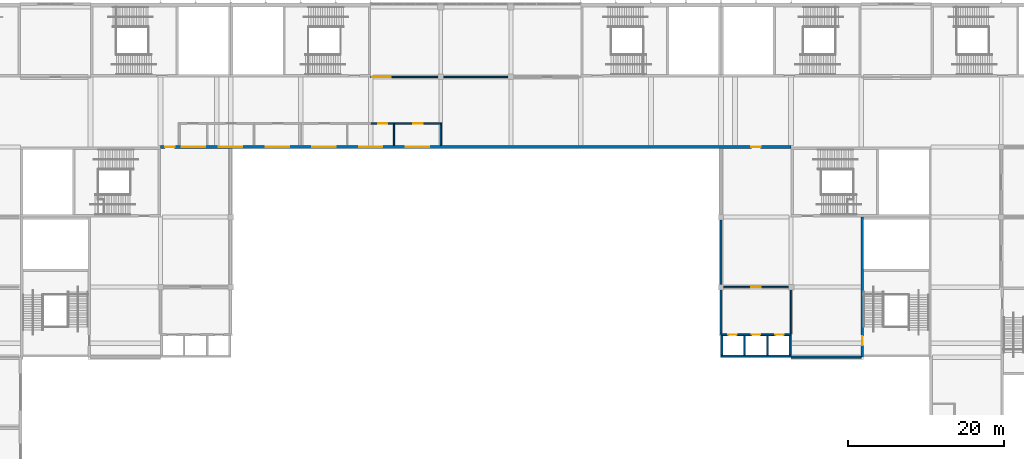
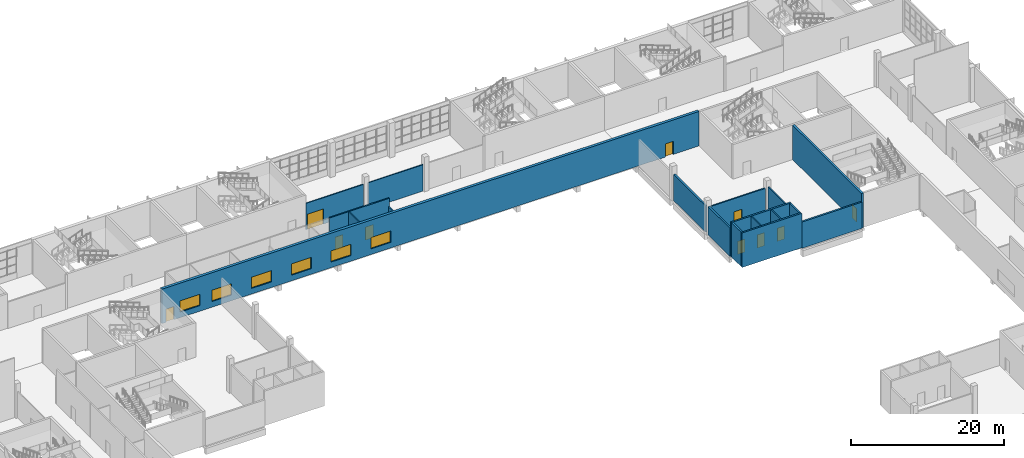
# One storey, part 39 of 84: 19 walls, 10 doors, 6 windows, 16 openings.
"""IFC4 building model written with IfcOpenShell, lengths in metres."""

from ifc_helpers import new_model, si_unit, direction, frame, frame_2d, origin, place, context, subcontext, project, spatial, rectangle, extrude, material, layer, layer_set, type_object, element, fill, save


model = new_model("IFC4")

# Units and contexts
model_context = context("Model", 3, precision=1e-05, world=origin(), true_north=direction((0.0, 1.0)))
body_context = subcontext(model_context, "Body", "Model", "MODEL_VIEW")
ifc_project = project(units=[si_unit("LENGTHUNIT", "METRE"), si_unit("AREAUNIT", "SQUARE_METRE"), si_unit("VOLUMEUNIT", "CUBIC_METRE"), si_unit("PLANEANGLEUNIT", "RADIAN"), si_unit("MASSUNIT", "GRAM", prefix="KILO")], contexts=[model_context])

# Site, building, storey
site_placement = place(None, origin())
site = spatial("IfcSite", under=ifc_project, at=site_placement, CompositionType="ELEMENT")
building_placement = place(site_placement, origin())
building = spatial("IfcBuilding", under=site, at=building_placement, Name="Silverbay Arena", CompositionType="ELEMENT")
storey_placement = place(building_placement, frame((0.0, 0.0, 28.0)))
storey = spatial("IfcBuildingStorey", under=building, at=storey_placement, Name="L04", CompositionType="ELEMENT", Elevation=28.0)

# Walls
ifc_material_1 = material(Name="Concrete Grade C45", Category="concrete")
ifc_layer_1 = layer(ifc_material_1, 0.25)
ifc_layer_set_1 = layer_set([ifc_layer_1], Name="Concrete Grade C45")
wall_type_1 = type_object("IfcWallType", Name="Bowl enclosure wall RC 250 EI 120", PredefinedType="SOLIDWALL", material=ifc_layer_set_1)
wall_1_placement = place(storey_placement, frame((162.0, 102.0, 0.0), z_axis=(0.0, 0.0, 1.0), x_axis=(0.0, 1.0, 0.0)))
element("IfcWall", 1, at=wall_1_placement, inside=storey, type_object=wall_type_1, Name="Bowl enclosure wall, corner block NE-x", PredefinedType="SOLIDWALL", context=body_context, shape_type="SweptSolid", body=[
    extrude(rectangle(XDim=5.64990234375, YDim=0.25, at=frame_2d((2.824951171875, 0.0))), origin(), (0.0, 0.0, 1.0), 4.5),
])
wall_2_placement = place(storey_placement, frame((162.0, 108.35009765625, 0.0), z_axis=(0.0, 0.0, 1.0), x_axis=(0.0, 1.0, 0.0)))
element("IfcWall", 2, at=wall_2_placement, inside=storey, type_object=wall_type_1, Name="Bowl enclosure wall, corner block NE-x", PredefinedType="SOLIDWALL", context=body_context, shape_type="SweptSolid", body=[
    extrude(rectangle(XDim=8.2998046875, YDim=0.25, at=frame_2d((4.14990234375, 0.0))), origin(), (0.0, 0.0, 1.0), 4.199951171875),
])
wall_3_placement = place(storey_placement, frame((171.0, 99.0, 0.0), z_axis=(0.0, 0.0, 1.0), x_axis=(1.0, 0.0, 0.0)))
element("IfcWall", 3, at=wall_3_placement, inside=storey, type_object=wall_type_1, Name="Bowl enclosure wall, corner block NE-y", PredefinedType="SOLIDWALL", context=body_context, shape_type="SweptSolid", body=[
    extrude(rectangle(XDim=9.0, YDim=0.25, at=frame_2d((4.5, 0.0))), origin(), (0.0, 0.0, 1.0), 4.199951171875),
])

# Wall, opening, door
ifc_material_2 = material(Name="Concrete Grade C45", Category="concrete")
ifc_layer_2 = layer(ifc_material_2, 0.300048828125)
ifc_layer_set_2 = layer_set([ifc_layer_2], Name="Concrete Grade C45")
wall_type_2 = type_object("IfcWallType", Name="Core wall RC 300 EI 120", PredefinedType="SHEAR", material=ifc_layer_set_2)
wall_4_placement = place(storey_placement, frame((180.14990234375, 99.0, 0.0), z_axis=(0.0, 0.0, 1.0), x_axis=(0.0, 1.0, 0.0)))
wall_4 = element("IfcWall", 4, at=wall_4_placement, inside=storey, type_object=wall_type_2, Name="Core wall ST-NE2 L04 door side", PredefinedType="SHEAR", context=body_context, shape_type="SweptSolid", body=[
    extrude(rectangle(XDim=18.0, YDim=0.300048828125, at=frame_2d((9.0, 0.0))), origin(), (0.0, 0.0, 1.0), 5.5),
])
opening_1_placement = place(wall_4_placement, frame((1.5, 0.0, 0.0)))
opening_1 = element("IfcOpeningElement", 5, at=opening_1_placement, cuts=wall_4, Name="Opening L04-078", PredefinedType="OPENING", context=body_context, shape_type="SweptSolid", body=[
    extrude(rectangle(XDim=1.199951171875, YDim=2.10009765625, at=frame_2d((0.60009765625, 1.050048828125))), frame((0.0, 0.16015625, 0.0), z_axis=(0.0, -1.0, 0.0), x_axis=(1.0, 0.0, 0.0)), (0.0, 0.0, 1.0), 0.320068359375),
])
ifc_material_3 = material(Name="Steel fire door", Category="steel")
door_type_1 = type_object("IfcDoorType", Name="Stair door 1200 x 2100 fire door", OperationType="SINGLE_SWING_LEFT", PredefinedType="DOOR", material=ifc_material_3)
door_1_placement = place(opening_1_placement, frame((1.199951171875, 0.0, 0.0), z_axis=(0.0, 0.0, 1.0), x_axis=(-1.0, 0.0, 0.0)))
door_1 = element("IfcDoor", 6, at=door_1_placement, inside=storey, type_object=door_type_1, Name="Stair door ST-NE2 L04", OperationType="SINGLE_SWING_RIGHT", OverallHeight=2.10009765625, OverallWidth=1.199951171875, PredefinedType="DOOR", context=body_context, shape_type="SweptSolid", body=[
    extrude(rectangle(XDim=1.199951171875, YDim=2.10009765625, at=frame_2d((0.60009765625, 1.050048828125))), frame((0.0, 0.02490234375, 0.0), z_axis=(0.0, -1.0, 0.0), x_axis=(1.0, 0.0, 0.0)), (0.0, 0.0, 1.0), 0.050048828125),
])
fill(opening_1, door_1)

# Walls
ifc_material_4 = material(Name="Concrete Grade C45", Category="concrete")
ifc_layer_3 = layer(ifc_material_4, 0.199951171875)
ifc_layer_set_3 = layer_set([ifc_layer_3], Name="Concrete Grade C45")
wall_type_3 = type_object("IfcWallType", Name="Lift shaft divider RC 200 EI 120", PredefinedType="SHEAR", material=ifc_layer_set_3)
for number, where, z_axis, x_axis, name in (
    (7, (165.0, 99.25, 0.0), (0.0, 0.0, 1.0), (0.0, 1.0, 0.0), "Lift shaft divider LB-NE L04 1"),
    (8, (168.0, 99.25, 0.0), (0.0, 0.0, 1.0), (0.0, 1.0, 0.0), "Lift shaft divider LB-NE L04 2"),
):
    element("IfcWall", number, at=place(storey_placement, frame(where, z_axis=z_axis, x_axis=x_axis)), inside=storey, type_object=wall_type_3, Name=name, PredefinedType="SHEAR", context=body_context, shape_type="SweptSolid", body=[
        extrude(rectangle(XDim=2.5, YDim=0.199951171875, at=frame_2d((1.25, 0.0))), origin(), (0.0, 0.0, 1.0), 5.5),
    ])

# Wall, openings, doors
ifc_material_5 = material(Name="Concrete Grade C45", Category="concrete")
ifc_layer_4 = layer(ifc_material_5, 0.25)
ifc_layer_set_4 = layer_set([ifc_layer_4], Name="Concrete Grade C45")
wall_type_4 = type_object("IfcWallType", Name="Lift shaft wall RC 250 EI 120", PredefinedType="SHEAR", material=ifc_layer_set_4)
wall_5_placement = place(storey_placement, frame((162.0, 101.875, 0.0), z_axis=(0.0, 0.0, 1.0), x_axis=(1.0, 0.0, 0.0)))
wall_5 = element("IfcWall", 9, at=wall_5_placement, inside=storey, type_object=wall_type_4, Name="Lift shaft wall LB-NE L04 landing side", PredefinedType="SHEAR", context=body_context, shape_type="SweptSolid", body=[
    extrude(rectangle(XDim=9.0, YDim=0.25, at=frame_2d((4.5, 0.0))), origin(), (0.0, 0.0, 1.0), 5.5),
])
opening_2_placement = place(wall_5_placement, frame((0.949951171875, 0.0, 0.0)))
opening_2 = element("IfcOpeningElement", 10, at=opening_2_placement, cuts=wall_5, Name="Opening L04-088", PredefinedType="OPENING", context=body_context, shape_type="SweptSolid", body=[
    extrude(rectangle(XDim=1.10009765625, YDim=2.10009765625, at=frame_2d((0.550048828125, 1.050048828125))), frame((0.0, 0.135009765625, 0.0), z_axis=(0.0, -1.0, 0.0), x_axis=(1.0, 0.0, 0.0)), (0.0, 0.0, 1.0), 0.27001953125),
])
opening_3_placement = place(wall_5_placement, frame((3.949951171875, 0.0, 0.0)))
opening_3 = element("IfcOpeningElement", 11, at=opening_3_placement, cuts=wall_5, Name="Opening L04-089", PredefinedType="OPENING", context=body_context, shape_type="SweptSolid", body=[
    extrude(rectangle(XDim=1.10009765625, YDim=2.10009765625, at=frame_2d((0.550048828125, 1.050048828125))), frame((0.0, 0.135009765625, 0.0), z_axis=(0.0, -1.0, 0.0), x_axis=(1.0, 0.0, 0.0)), (0.0, 0.0, 1.0), 0.27001953125),
])
opening_4_placement = place(wall_5_placement, frame((6.949951171875, 0.0, 0.0)))
opening_4 = element("IfcOpeningElement", 12, at=opening_4_placement, cuts=wall_5, Name="Opening L04-090", PredefinedType="OPENING", context=body_context, shape_type="SweptSolid", body=[
    extrude(rectangle(XDim=1.10009765625, YDim=2.10009765625, at=frame_2d((0.550048828125, 1.050048828125))), frame((0.0, 0.135009765625, 0.0), z_axis=(0.0, -1.0, 0.0), x_axis=(1.0, 0.0, 0.0)), (0.0, 0.0, 1.0), 0.27001953125),
])
ifc_material_6 = material(Name="Stainless steel", Category="steel")
door_type_2 = type_object("IfcDoorType", Name="LD1 lift landing door 1100 x 2100", OperationType="DOUBLE_DOOR_SLIDING", PredefinedType="DOOR", material=ifc_material_6)
door_2_placement = place(opening_2_placement, origin())
door_2 = element("IfcDoor", 13, at=door_2_placement, inside=storey, type_object=door_type_2, Name="Lift landing door LF12 L04", OperationType="DOUBLE_DOOR_SLIDING", OverallHeight=2.10009765625, OverallWidth=1.10009765625, PredefinedType="DOOR", context=body_context, shape_type="SweptSolid", body=[
    extrude(rectangle(XDim=1.10009765625, YDim=2.10009765625, at=frame_2d((0.550048828125, 1.050048828125))), frame((0.0, 0.02490234375, 0.0), z_axis=(0.0, -1.0, 0.0), x_axis=(1.0, 0.0, 0.0)), (0.0, 0.0, 1.0), 0.050048828125),
])
fill(opening_2, door_2)
door_3_placement = place(opening_3_placement, origin())
door_3 = element("IfcDoor", 14, at=door_3_placement, inside=storey, type_object=door_type_2, Name="Lift landing door LF13 L04", OperationType="DOUBLE_DOOR_SLIDING", OverallHeight=2.10009765625, OverallWidth=1.10009765625, PredefinedType="DOOR", context=body_context, shape_type="SweptSolid", body=[
    extrude(rectangle(XDim=1.10009765625, YDim=2.10009765625, at=frame_2d((0.550048828125, 1.050048828125))), frame((0.0, 0.02490234375, 0.0), z_axis=(0.0, -1.0, 0.0), x_axis=(1.0, 0.0, 0.0)), (0.0, 0.0, 1.0), 0.050048828125),
])
fill(opening_3, door_3)
door_4_placement = place(opening_4_placement, origin())
door_4 = element("IfcDoor", 15, at=door_4_placement, inside=storey, type_object=door_type_2, Name="Lift landing door LF14 L04", OperationType="DOUBLE_DOOR_SLIDING", OverallHeight=2.10009765625, OverallWidth=1.10009765625, PredefinedType="DOOR", context=body_context, shape_type="SweptSolid", body=[
    extrude(rectangle(XDim=1.10009765625, YDim=2.10009765625, at=frame_2d((0.550048828125, 1.050048828125))), frame((0.0, 0.02490234375, 0.0), z_axis=(0.0, -1.0, 0.0), x_axis=(1.0, 0.0, 0.0)), (0.0, 0.0, 1.0), 0.050048828125),
])
fill(opening_4, door_4)

# Walls
wall_6_placement = place(storey_placement, frame((162.0, 99.125, 0.0), z_axis=(0.0, 0.0, 1.0), x_axis=(1.0, 0.0, 0.0)))
element("IfcWall", 16, at=wall_6_placement, inside=storey, type_object=wall_type_4, Name="Lift shaft wall LB-NE L04 back", PredefinedType="SHEAR", context=body_context, shape_type="SweptSolid", body=[
    extrude(rectangle(XDim=9.0, YDim=0.25, at=frame_2d((4.5, 0.0))), origin(), (0.0, 0.0, 1.0), 5.5),
])
for number, where, z_axis, x_axis, name in (
    (17, (162.125, 99.25, 0.0), (0.0, 0.0, 1.0), (0.0, 1.0, 0.0), "Lift shaft wall LB-NE L04 end"),
    (18, (170.875, 99.25, 0.0), (0.0, 0.0, 1.0), (0.0, 1.0, 0.0), "Lift shaft wall LB-NE L04 end"),
):
    element("IfcWall", number, at=place(storey_placement, frame(where, z_axis=z_axis, x_axis=x_axis)), inside=storey, type_object=wall_type_4, Name=name, PredefinedType="SHEAR", context=body_context, shape_type="SweptSolid", body=[
        extrude(rectangle(XDim=2.5, YDim=0.25, at=frame_2d((1.25, 0.0))), origin(), (0.0, 0.0, 1.0), 5.5),
    ])
ifc_material_7 = material(Name="Gypsum board partition on steel studs", Category="steel")
ifc_layer_5 = layer(ifc_material_7, 0.14990234375)
ifc_layer_set_5 = layer_set([ifc_layer_5], Name="Gypsum board partition on steel studs")
wall_type_5 = type_object("IfcWallType", Name="Partition 150 EI 60", PredefinedType="PARTITIONING", material=ifc_layer_set_5)
wall_7_placement = place(storey_placement, frame((126.35009765625, 135.0, 0.0), z_axis=(0.0, 0.0, 1.0), x_axis=(1.0, 0.0, 0.0)))
element("IfcWall", 19, at=wall_7_placement, inside=storey, type_object=wall_type_5, Name="Partition wall", PredefinedType="PARTITIONING", context=body_context, shape_type="SweptSolid", body=[
    extrude(rectangle(XDim=8.2998046875, YDim=0.14990234375, at=frame_2d((4.14990234375, 0.0))), origin(), (0.0, 0.0, 1.0), 4.199951171875),
])

# Wall, opening, door
wall_8_placement = place(storey_placement, frame((117.0, 135.0, 0.0), z_axis=(0.0, 0.0, 1.0), x_axis=(1.0, 0.0, 0.0)))
wall_8 = element("IfcWall", 20, at=wall_8_placement, inside=storey, type_object=wall_type_5, Name="Partition wall", PredefinedType="PARTITIONING", context=body_context, shape_type="SweptSolid", body=[
    extrude(rectangle(XDim=8.64990234375, YDim=0.14990234375, at=frame_2d((4.324951171875, 0.0))), origin(), (0.0, 0.0, 1.0), 4.199951171875),
])
opening_5_placement = place(wall_8_placement, frame((0.199951171875, 0.0, 0.0)))
opening_5 = element("IfcOpeningElement", 21, at=opening_5_placement, cuts=wall_8, Name="Opening L04-053", PredefinedType="OPENING", context=body_context, shape_type="SweptSolid", body=[
    extrude(rectangle(XDim=2.39990234375, YDim=2.39990234375, at=frame_2d((1.199951171875, 1.199951171875))), frame((0.0, 0.0849609375, 0.0), z_axis=(0.0, -1.0, 0.0), x_axis=(1.0, 0.0, 0.0)), (0.0, 0.0, 1.0), 0.169921875),
])
ifc_material_8 = material(Name="Steel faced timber", Category="steel")
door_type_3 = type_object("IfcDoorType", Name="Double leaf door 2400 x 2400 FD30S", OperationType="DOUBLE_DOOR_DOUBLE_SWING", PredefinedType="DOOR", material=ifc_material_8)
door_5_placement = place(opening_5_placement, origin())
door_5 = element("IfcDoor", 22, at=door_5_placement, inside=storey, type_object=door_type_3, Name="Door L04-053", OperationType="DOUBLE_DOOR_DOUBLE_SWING", OverallHeight=2.39990234375, OverallWidth=2.39990234375, PredefinedType="DOOR", context=body_context, shape_type="SweptSolid", body=[
    extrude(rectangle(XDim=2.39990234375, YDim=2.39990234375, at=frame_2d((1.199951171875, 1.199951171875))), frame((0.0, 0.02490234375, 0.0), z_axis=(0.0, -1.0, 0.0), x_axis=(1.0, 0.0, 0.0)), (0.0, 0.0, 1.0), 0.050048828125),
])
fill(opening_5, door_5)

# Wall
wall_9_placement = place(storey_placement, frame((120.0, 126.199951171875, 0.0), z_axis=(0.0, 0.0, 1.0), x_axis=(0.0, 1.0, 0.0)))
element("IfcWall", 23, at=wall_9_placement, inside=storey, type_object=wall_type_5, Name="Partition wall", PredefinedType="PARTITIONING", context=body_context, shape_type="SweptSolid", body=[
    extrude(rectangle(XDim=2.699951171875, YDim=0.14990234375, at=frame_2d((1.35009765625, 0.0))), origin(), (0.0, 0.0, 1.0), 5.5),
])

# Wall, opening, door
ifc_material_9 = material(Name="Masonry blockwork partition", Category="masonry")
ifc_layer_6 = layer(ifc_material_9, 0.199951171875)
ifc_layer_set_6 = layer_set([ifc_layer_6], Name="Masonry blockwork partition")
wall_type_6 = type_object("IfcWallType", Name="Partition 200 EI 120", PredefinedType="PARTITIONING", material=ifc_layer_set_6)
wall_10_placement = place(storey_placement, frame((162.35009765625, 108.0, 0.0), z_axis=(0.0, 0.0, 1.0), x_axis=(1.0, 0.0, 0.0)))
wall_10 = element("IfcWall", 24, at=wall_10_placement, inside=storey, type_object=wall_type_6, Name="Partition wall", PredefinedType="PARTITIONING", context=body_context, shape_type="SweptSolid", body=[
    extrude(rectangle(XDim=8.2998046875, YDim=0.199951171875, at=frame_2d((4.14990234375, 0.0))), origin(), (0.0, 0.0, 1.0), 4.199951171875),
])
opening_6_placement = place(wall_10_placement, frame((3.550048828125, 0.0, 0.0)))
opening_6 = element("IfcOpeningElement", 25, at=opening_6_placement, cuts=wall_10, Name="Opening L04-022", PredefinedType="OPENING", context=body_context, shape_type="SweptSolid", body=[
    extrude(rectangle(XDim=1.199951171875, YDim=2.10009765625, at=frame_2d((0.60009765625, 1.050048828125))), frame((0.0, 0.10986328125, 0.0), z_axis=(0.0, -1.0, 0.0), x_axis=(1.0, 0.0, 0.0)), (0.0, 0.0, 1.0), 0.219970703125),
])
ifc_material_10 = material(Name="Steel faced timber", Category="steel")
door_type_4 = type_object("IfcDoorType", Name="Single leaf door 1200 x 2100 FD60", OperationType="SINGLE_SWING_LEFT", PredefinedType="DOOR", material=ifc_material_10)
door_6_placement = place(opening_6_placement, origin())
door_6 = element("IfcDoor", 26, at=door_6_placement, inside=storey, type_object=door_type_4, Name="Door L04-022", OperationType="SINGLE_SWING_RIGHT", OverallHeight=2.10009765625, OverallWidth=1.199951171875, PredefinedType="DOOR", context=body_context, shape_type="SweptSolid", body=[
    extrude(rectangle(XDim=1.199951171875, YDim=2.10009765625, at=frame_2d((0.60009765625, 1.050048828125))), frame((0.0, 0.02490234375, 0.0), z_axis=(0.0, -1.0, 0.0), x_axis=(1.0, 0.0, 0.0)), (0.0, 0.0, 1.0), 0.050048828125),
])
fill(opening_6, door_6)

wall_11_placement = place(storey_placement, frame((117.0, 129.0, 0.0), z_axis=(0.0, 0.0, 1.0), x_axis=(1.0, 0.0, 0.0)))
wall_11 = element("IfcWall", 27, at=wall_11_placement, inside=storey, type_object=wall_type_6, Name="Partition wall", PredefinedType="PARTITIONING", context=body_context, shape_type="SweptSolid", body=[
    extrude(rectangle(XDim=3.074951171875, YDim=0.199951171875, at=frame_2d((1.53759765625, 0.0))), origin(), (0.0, 0.0, 1.0), 5.5),
])
opening_7_placement = place(wall_11_placement, frame((0.93798828125, 0.0, 0.0)))
opening_7 = element("IfcOpeningElement", 28, at=opening_7_placement, cuts=wall_11, Name="Opening L04-036", PredefinedType="OPENING", context=body_context, shape_type="SweptSolid", body=[
    extrude(rectangle(XDim=1.199951171875, YDim=2.10009765625, at=frame_2d((0.60009765625, 1.050048828125))), frame((0.0, 0.10986328125, 0.0), z_axis=(0.0, -1.0, 0.0), x_axis=(1.0, 0.0, 0.0)), (0.0, 0.0, 1.0), 0.219970703125),
])
ifc_material_11 = material(Name="Steel faced timber", Category="steel")
door_type_5 = type_object("IfcDoorType", Name="Single leaf door 1200 x 2100 FD120", OperationType="SINGLE_SWING_LEFT", PredefinedType="DOOR", material=ifc_material_11)
door_7_placement = place(opening_7_placement, frame((1.199951171875, 0.0, 0.0), z_axis=(0.0, 0.0, 1.0), x_axis=(-1.0, 0.0, 0.0)))
door_7 = element("IfcDoor", 29, at=door_7_placement, inside=storey, type_object=door_type_5, Name="Door L04-036", OperationType="SINGLE_SWING_LEFT", OverallHeight=2.10009765625, OverallWidth=1.199951171875, PredefinedType="DOOR", context=body_context, shape_type="SweptSolid", body=[
    extrude(rectangle(XDim=1.199951171875, YDim=2.10009765625, at=frame_2d((0.60009765625, 1.050048828125))), frame((0.0, 0.02490234375, 0.0), z_axis=(0.0, -1.0, 0.0), x_axis=(1.0, 0.0, 0.0)), (0.0, 0.0, 1.0), 0.050048828125),
])
fill(opening_7, door_7)

wall_12_placement = place(storey_placement, frame((120.074951171875, 129.0, 0.0), z_axis=(0.0, 0.0, 1.0), x_axis=(1.0, 0.0, 0.0)))
wall_12 = element("IfcWall", 30, at=wall_12_placement, inside=storey, type_object=wall_type_6, Name="Partition wall", PredefinedType="PARTITIONING", context=body_context, shape_type="SweptSolid", body=[
    extrude(rectangle(XDim=6.025146484375, YDim=0.199951171875, at=frame_2d((3.0126953125, 0.0))), origin(), (0.0, 0.0, 1.0), 5.5),
])
opening_8_placement = place(wall_12_placement, frame((2.412109375, 0.0, 0.0)))
opening_8 = element("IfcOpeningElement", 31, at=opening_8_placement, cuts=wall_12, Name="Opening L04-037", PredefinedType="OPENING", context=body_context, shape_type="SweptSolid", body=[
    extrude(rectangle(XDim=1.199951171875, YDim=2.10009765625, at=frame_2d((0.60009765625, 1.050048828125))), frame((0.0, 0.10986328125, 0.0), z_axis=(0.0, -1.0, 0.0), x_axis=(1.0, 0.0, 0.0)), (0.0, 0.0, 1.0), 0.219970703125),
])
door_8_placement = place(opening_8_placement, frame((1.199951171875, 0.0, 0.0), z_axis=(0.0, 0.0, 1.0), x_axis=(-1.0, 0.0, 0.0)))
door_8 = element("IfcDoor", 32, at=door_8_placement, inside=storey, type_object=door_type_5, Name="Door L04-037", OperationType="SINGLE_SWING_RIGHT", OverallHeight=2.10009765625, OverallWidth=1.199951171875, PredefinedType="DOOR", context=body_context, shape_type="SweptSolid", body=[
    extrude(rectangle(XDim=1.199951171875, YDim=2.10009765625, at=frame_2d((0.60009765625, 1.050048828125))), frame((0.0, 0.02490234375, 0.0), z_axis=(0.0, -1.0, 0.0), x_axis=(1.0, 0.0, 0.0)), (0.0, 0.0, 1.0), 0.050048828125),
])
fill(opening_8, door_8)

# Walls
wall_13_placement = place(storey_placement, frame((126.0, 126.199951171875, 0.0), z_axis=(0.0, 0.0, 1.0), x_axis=(0.0, 1.0, 0.0)))
element("IfcWall", 33, at=wall_13_placement, inside=storey, type_object=wall_type_6, Name="Partition wall", PredefinedType="PARTITIONING", context=body_context, shape_type="SweptSolid", body=[
    extrude(rectangle(XDim=2.699951171875, YDim=0.199951171875, at=frame_2d((1.35009765625, 0.0))), origin(), (0.0, 0.0, 1.0), 4.199951171875),
])
wall_14_placement = place(storey_placement, frame((171.0, 102.0, 0.0), z_axis=(0.0, 0.0, 1.0), x_axis=(0.0, 1.0, 0.0)))
element("IfcWall", 34, at=wall_14_placement, inside=storey, type_object=wall_type_6, Name="Partition wall", PredefinedType="PARTITIONING", context=body_context, shape_type="SweptSolid", body=[
    extrude(rectangle(XDim=5.64990234375, YDim=0.199951171875, at=frame_2d((2.824951171875, 0.0))), origin(), (0.0, 0.0, 1.0), 4.5),
])

# Wall, openings, windows, doors
ifc_material_12 = material(Name="Concrete Grade C45", Category="concrete")
ifc_layer_7 = layer(ifc_material_12, 0.39990234375)
ifc_layer_set_7 = layer_set([ifc_layer_7], Name="Concrete Grade C45")
wall_type_7 = type_object("IfcWallType", Name="RC back wall 400 EI 120", PredefinedType="SOLIDWALL", material=ifc_layer_set_7)
wall_15_placement = place(storey_placement, frame((171.0, 126.0, 0.0), z_axis=(0.0, 0.0, 1.0), x_axis=(-1.0, 0.0, 0.0)))
wall_15 = element("IfcWall", 35, at=wall_15_placement, inside=storey, type_object=wall_type_7, Name="Bowl back wall L04 03", PredefinedType="SOLIDWALL", context=body_context, shape_type="SweptSolid", body=[
    extrude(rectangle(XDim=81.0, YDim=0.39990234375, at=frame_2d((40.5, 0.0))), origin(), (0.0, 0.0, 1.0), 5.5),
])
opening_9_placement = place(wall_15_placement, frame((75.28759765625, 0.0, 0.89990234375)))
opening_9 = element("IfcOpeningElement", 36, at=opening_9_placement, cuts=wall_15, Name="Opening WN2", PredefinedType="OPENING", context=body_context, shape_type="SweptSolid", body=[
    extrude(rectangle(XDim=3.0, YDim=1.800048828125, at=frame_2d((1.5, 0.89990234375))), frame((0.0, 0.2099609375, 0.0), z_axis=(0.0, -1.0, 0.0), x_axis=(1.0, 0.0, 0.0)), (0.0, 0.0, 1.0), 0.419921875),
])
opening_10_placement = place(wall_15_placement, frame((70.5, 0.0, 0.89990234375)))
opening_10 = element("IfcOpeningElement", 37, at=opening_10_placement, cuts=wall_15, Name="Opening WN2", PredefinedType="OPENING", context=body_context, shape_type="SweptSolid", body=[
    extrude(rectangle(XDim=3.0, YDim=1.800048828125, at=frame_2d((1.5, 0.89990234375))), frame((0.0, 0.2099609375, 0.0), z_axis=(0.0, -1.0, 0.0), x_axis=(1.0, 0.0, 0.0)), (0.0, 0.0, 1.0), 0.419921875),
])
opening_11_placement = place(wall_15_placement, frame((64.5, 0.0, 0.89990234375)))
opening_11 = element("IfcOpeningElement", 38, at=opening_11_placement, cuts=wall_15, Name="Opening WN2", PredefinedType="OPENING", context=body_context, shape_type="SweptSolid", body=[
    extrude(rectangle(XDim=3.0, YDim=1.800048828125, at=frame_2d((1.5, 0.89990234375))), frame((0.0, 0.2099609375, 0.0), z_axis=(0.0, -1.0, 0.0), x_axis=(1.0, 0.0, 0.0)), (0.0, 0.0, 1.0), 0.419921875),
])
opening_12_placement = place(wall_15_placement, frame((58.5, 0.0, 0.89990234375)))
opening_12 = element("IfcOpeningElement", 39, at=opening_12_placement, cuts=wall_15, Name="Opening WN2", PredefinedType="OPENING", context=body_context, shape_type="SweptSolid", body=[
    extrude(rectangle(XDim=3.0, YDim=1.800048828125, at=frame_2d((1.5, 0.89990234375))), frame((0.0, 0.2099609375, 0.0), z_axis=(0.0, -1.0, 0.0), x_axis=(1.0, 0.0, 0.0)), (0.0, 0.0, 1.0), 0.419921875),
])
opening_13_placement = place(wall_15_placement, frame((52.5, 0.0, 0.89990234375)))
opening_13 = element("IfcOpeningElement", 40, at=opening_13_placement, cuts=wall_15, Name="Opening WN2", PredefinedType="OPENING", context=body_context, shape_type="SweptSolid", body=[
    extrude(rectangle(XDim=3.0, YDim=1.800048828125, at=frame_2d((1.5, 0.89990234375))), frame((0.0, 0.2099609375, 0.0), z_axis=(0.0, -1.0, 0.0), x_axis=(1.0, 0.0, 0.0)), (0.0, 0.0, 1.0), 0.419921875),
])
opening_14_placement = place(wall_15_placement, frame((46.512451171875, 0.0, 0.89990234375)))
opening_14 = element("IfcOpeningElement", 41, at=opening_14_placement, cuts=wall_15, Name="Opening WN2", PredefinedType="OPENING", context=body_context, shape_type="SweptSolid", body=[
    extrude(rectangle(XDim=3.0, YDim=1.800048828125, at=frame_2d((1.5, 0.89990234375))), frame((0.0, 0.2099609375, 0.0), z_axis=(0.0, -1.0, 0.0), x_axis=(1.0, 0.0, 0.0)), (0.0, 0.0, 1.0), 0.419921875),
])
opening_15_placement = place(wall_15_placement, frame((3.89990234375, 0.0, 0.0)))
opening_15 = element("IfcOpeningElement", 42, at=opening_15_placement, cuts=wall_15, Name="Opening L04-092", PredefinedType="OPENING", context=body_context, shape_type="SweptSolid", body=[
    extrude(rectangle(XDim=1.199951171875, YDim=2.10009765625, at=frame_2d((0.60009765625, 1.050048828125))), frame((0.0, 0.2099609375, 0.0), z_axis=(0.0, -1.0, 0.0), x_axis=(1.0, 0.0, 0.0)), (0.0, 0.0, 1.0), 0.419921875),
])
opening_16_placement = place(wall_15_placement, frame((79.199951171875, 0.0, 0.0)))
opening_16 = element("IfcOpeningElement", 43, at=opening_16_placement, cuts=wall_15, Name="Opening L04-094", PredefinedType="OPENING", context=body_context, shape_type="SweptSolid", body=[
    extrude(rectangle(XDim=1.199951171875, YDim=2.10009765625, at=frame_2d((0.60009765625, 1.050048828125))), frame((0.0, 0.2099609375, 0.0), z_axis=(0.0, -1.0, 0.0), x_axis=(1.0, 0.0, 0.0)), (0.0, 0.0, 1.0), 0.419921875),
])
ifc_material_13 = material(Name="Fire-resisting glass", Category="glass")
window_type = type_object("IfcWindowType", Name="Fire-resisting window EI 120 3000 x 1800", PartitioningType="SINGLE_PANEL", PredefinedType="WINDOW", material=ifc_material_13)
window_1_placement = place(opening_9_placement, origin())
window_1 = element("IfcWindow", 44, at=window_1_placement, inside=storey, type_object=window_type, Name="Media viewing window Broadcast Booth 01", OverallHeight=1.800048828125, OverallWidth=3.0, PartitioningType="SINGLE_PANEL", PredefinedType="WINDOW", context=body_context, shape_type="SweptSolid", body=[
    extrude(rectangle(XDim=3.0, YDim=1.800048828125, at=frame_2d((1.5, 0.89990234375))), frame((0.0, 0.030029296875, 0.0), z_axis=(0.0, -1.0, 0.0), x_axis=(1.0, 0.0, 0.0)), (0.0, 0.0, 1.0), 0.06005859375),
])
fill(opening_9, window_1)
window_2_placement = place(opening_10_placement, origin())
window_2 = element("IfcWindow", 45, at=window_2_placement, inside=storey, type_object=window_type, Name="Media viewing window Broadcast Booth 02", OverallHeight=1.800048828125, OverallWidth=3.0, PartitioningType="SINGLE_PANEL", PredefinedType="WINDOW", context=body_context, shape_type="SweptSolid", body=[
    extrude(rectangle(XDim=3.0, YDim=1.800048828125, at=frame_2d((1.5, 0.89990234375))), frame((0.0, 0.030029296875, 0.0), z_axis=(0.0, -1.0, 0.0), x_axis=(1.0, 0.0, 0.0)), (0.0, 0.0, 1.0), 0.06005859375),
])
fill(opening_10, window_2)
window_3_placement = place(opening_11_placement, origin())
window_3 = element("IfcWindow", 46, at=window_3_placement, inside=storey, type_object=window_type, Name="Media viewing window Broadcast Booth 03", OverallHeight=1.800048828125, OverallWidth=3.0, PartitioningType="SINGLE_PANEL", PredefinedType="WINDOW", context=body_context, shape_type="SweptSolid", body=[
    extrude(rectangle(XDim=3.0, YDim=1.800048828125, at=frame_2d((1.5, 0.89990234375))), frame((0.0, 0.030029296875, 0.0), z_axis=(0.0, -1.0, 0.0), x_axis=(1.0, 0.0, 0.0)), (0.0, 0.0, 1.0), 0.06005859375),
])
fill(opening_11, window_3)
window_4_placement = place(opening_12_placement, origin())
window_4 = element("IfcWindow", 47, at=window_4_placement, inside=storey, type_object=window_type, Name="Media viewing window Broadcast Booth 04", OverallHeight=1.800048828125, OverallWidth=3.0, PartitioningType="SINGLE_PANEL", PredefinedType="WINDOW", context=body_context, shape_type="SweptSolid", body=[
    extrude(rectangle(XDim=3.0, YDim=1.800048828125, at=frame_2d((1.5, 0.89990234375))), frame((0.0, 0.030029296875, 0.0), z_axis=(0.0, -1.0, 0.0), x_axis=(1.0, 0.0, 0.0)), (0.0, 0.0, 1.0), 0.06005859375),
])
fill(opening_12, window_4)
window_5_placement = place(opening_13_placement, origin())
window_5 = element("IfcWindow", 48, at=window_5_placement, inside=storey, type_object=window_type, Name="Media viewing window Broadcast Booth 05", OverallHeight=1.800048828125, OverallWidth=3.0, PartitioningType="SINGLE_PANEL", PredefinedType="WINDOW", context=body_context, shape_type="SweptSolid", body=[
    extrude(rectangle(XDim=3.0, YDim=1.800048828125, at=frame_2d((1.5, 0.89990234375))), frame((0.0, 0.030029296875, 0.0), z_axis=(0.0, -1.0, 0.0), x_axis=(1.0, 0.0, 0.0)), (0.0, 0.0, 1.0), 0.06005859375),
])
fill(opening_13, window_5)
window_6_placement = place(opening_14_placement, origin())
window_6 = element("IfcWindow", 49, at=window_6_placement, inside=storey, type_object=window_type, Name="Media viewing window Broadcast Booth 06", OverallHeight=1.800048828125, OverallWidth=3.0, PartitioningType="SINGLE_PANEL", PredefinedType="WINDOW", context=body_context, shape_type="SweptSolid", body=[
    extrude(rectangle(XDim=3.0, YDim=1.800048828125, at=frame_2d((1.5, 0.89990234375))), frame((0.0, 0.030029296875, 0.0), z_axis=(0.0, -1.0, 0.0), x_axis=(1.0, 0.0, 0.0)), (0.0, 0.0, 1.0), 0.06005859375),
])
fill(opening_14, window_6)
ifc_material_14 = material(Name="Steel faced timber", Category="steel")
door_type_6 = type_object("IfcDoorType", Name="Single leaf door 1200 x 2100 FD120S", OperationType="SINGLE_SWING_LEFT", PredefinedType="DOOR", material=ifc_material_14)
door_9_placement = place(opening_15_placement, frame((1.199951171875, 0.0, 0.0), z_axis=(0.0, 0.0, 1.0), x_axis=(-1.0, 0.0, 0.0)))
door_9 = element("IfcDoor", 50, at=door_9_placement, inside=storey, type_object=door_type_6, Name="Door L04-092", OperationType="SINGLE_SWING_RIGHT", OverallHeight=2.10009765625, OverallWidth=1.199951171875, PredefinedType="DOOR", context=body_context, shape_type="SweptSolid", body=[
    extrude(rectangle(XDim=1.199951171875, YDim=2.10009765625, at=frame_2d((0.60009765625, 1.050048828125))), frame((0.0, 0.02490234375, 0.0), z_axis=(0.0, -1.0, 0.0), x_axis=(1.0, 0.0, 0.0)), (0.0, 0.0, 1.0), 0.050048828125),
])
fill(opening_15, door_9)
door_10_placement = place(opening_16_placement, frame((1.199951171875, 0.0, 0.0), z_axis=(0.0, 0.0, 1.0), x_axis=(-1.0, 0.0, 0.0)))
door_10 = element("IfcDoor", 51, at=door_10_placement, inside=storey, type_object=door_type_6, Name="Door L04-094", OperationType="SINGLE_SWING_RIGHT", OverallHeight=2.10009765625, OverallWidth=1.199951171875, PredefinedType="DOOR", context=body_context, shape_type="SweptSolid", body=[
    extrude(rectangle(XDim=1.199951171875, YDim=2.10009765625, at=frame_2d((0.60009765625, 1.050048828125))), frame((0.0, 0.02490234375, 0.0), z_axis=(0.0, -1.0, 0.0), x_axis=(1.0, 0.0, 0.0)), (0.0, 0.0, 1.0), 0.050048828125),
])
fill(opening_16, door_10)

save(model, "model.ifc")
